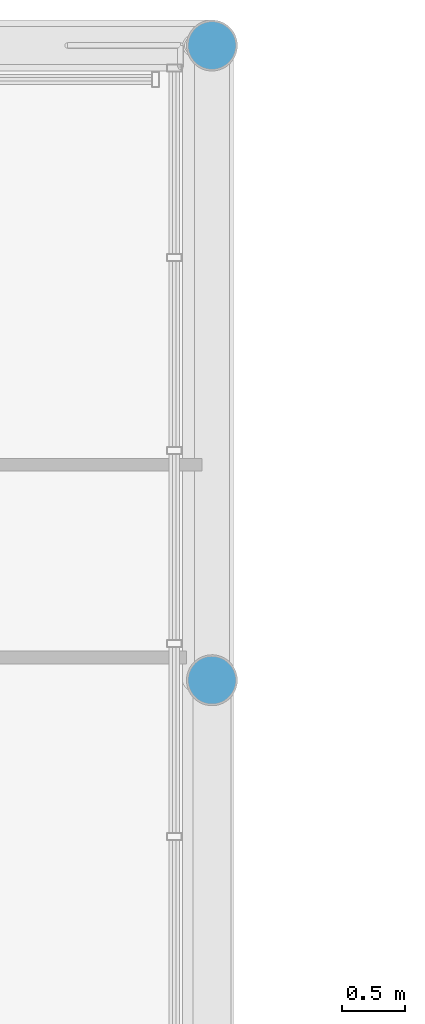
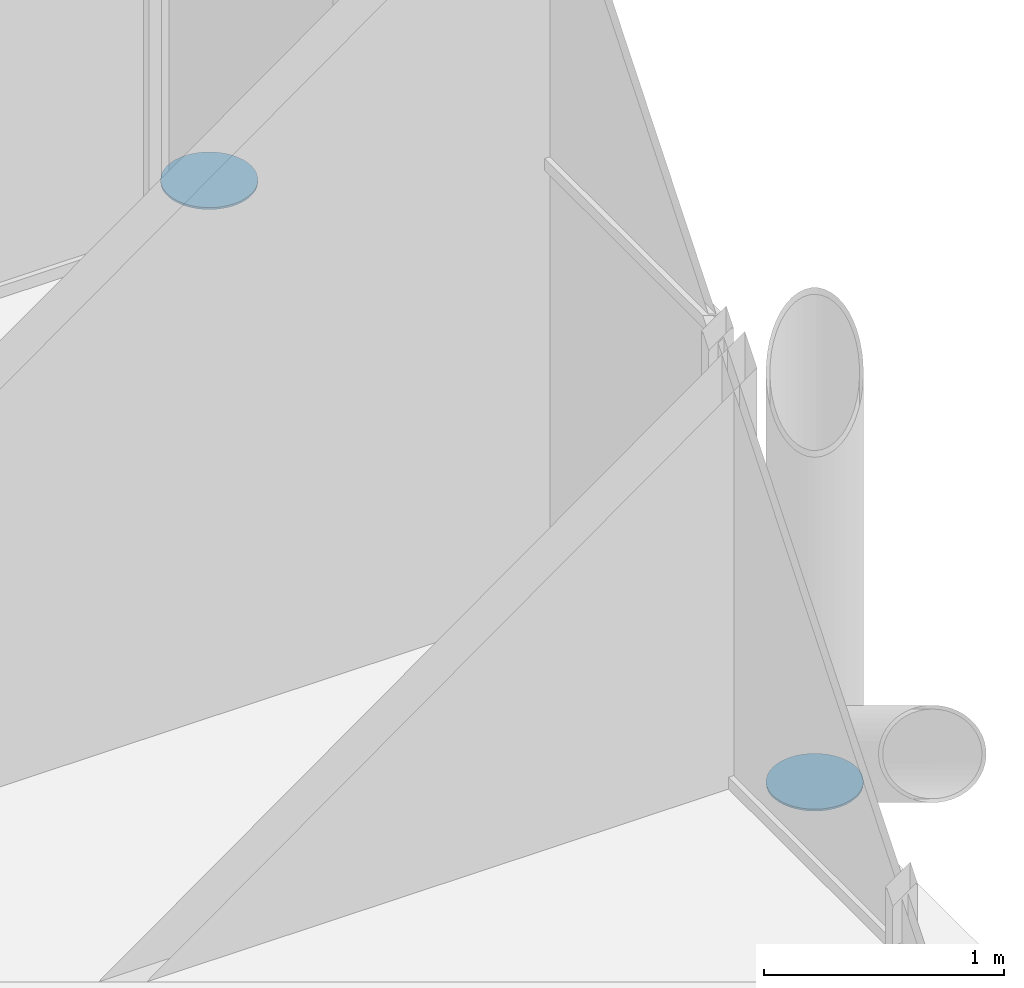
# One storey, part 120 of 149: 2 discrete accessories.
"""IFC4 building model written with IfcOpenShell, lengths in metres."""

from ifc_helpers import new_model, si_unit, direction, frame, origin, origin_2d, place, context, subcontext, project, spatial, circle, extrude, material, material_profile, profile_set, type_object, element, save


model = new_model("IFC4")

# Units and contexts
model_context = context("Model", 3, precision=1e-05, world=origin(), true_north=direction((0.0, 1.0)))
body_context = subcontext(model_context, "Body", "Model", "MODEL_VIEW")
ifc_project = project(units=[si_unit("LENGTHUNIT", "METRE"), si_unit("AREAUNIT", "SQUARE_METRE"), si_unit("VOLUMEUNIT", "CUBIC_METRE"), si_unit("PLANEANGLEUNIT", "RADIAN"), si_unit("MASSUNIT", "GRAM", prefix="KILO")], contexts=[model_context])

# Site, building, storey
site_placement = place(None, origin())
site = spatial("IfcSite", under=ifc_project, at=site_placement, CompositionType="ELEMENT")
building_placement = place(site_placement, origin())
building = spatial("IfcBuilding", under=site, at=building_placement, Name="Kallimachos Central Library", CompositionType="ELEMENT")
storey_placement = place(building_placement, frame((0.0, 0.0, 9.89990234375)))
storey = spatial("IfcBuildingStorey", under=building, at=storey_placement, Name="L02", CompositionType="ELEMENT", Elevation=9.89990234375)

# Discrete accessories
ifc_material = material(Name="Steel S355J2", Category="steel")
ifc_material_profile = material_profile(ifc_material, circle(Radius=0.203125, at=origin_2d()), Name="End cap plate 10, round 406.4")
ifc_profile_set = profile_set([ifc_material_profile], Name="Steel S355J2")
discrete_accessory_type = type_object("IfcDiscreteAccessoryType", Name="End cap plate 10, round 406.4", PredefinedType="BRACKET", material=ifc_profile_set)
for number, where, z_axis, x_axis, name in (
    (1, (110.5, 121.64990234375, -0.010009765625), (0.0, 0.0, 1.0), (1.0, 0.0, 0.0), "End cap plate"),
    (2, (110.5, 116.60009765625, -0.010009765625), (0.0, 0.0, 1.0), (1.0, 0.0, 0.0), "End cap plate"),
):
    element("IfcDiscreteAccessory", number, at=place(storey_placement, frame(where, z_axis=z_axis, x_axis=x_axis)), inside=storey, type_object=discrete_accessory_type, Name=name, PredefinedType="BRACKET", context=body_context, shape_type="SweptSolid", body=[
        extrude(circle(Radius=0.203125, at=origin_2d()), origin(), (0.0, 0.0, 1.0), 0.010009765625),
    ])

save(model, "model.ifc")
